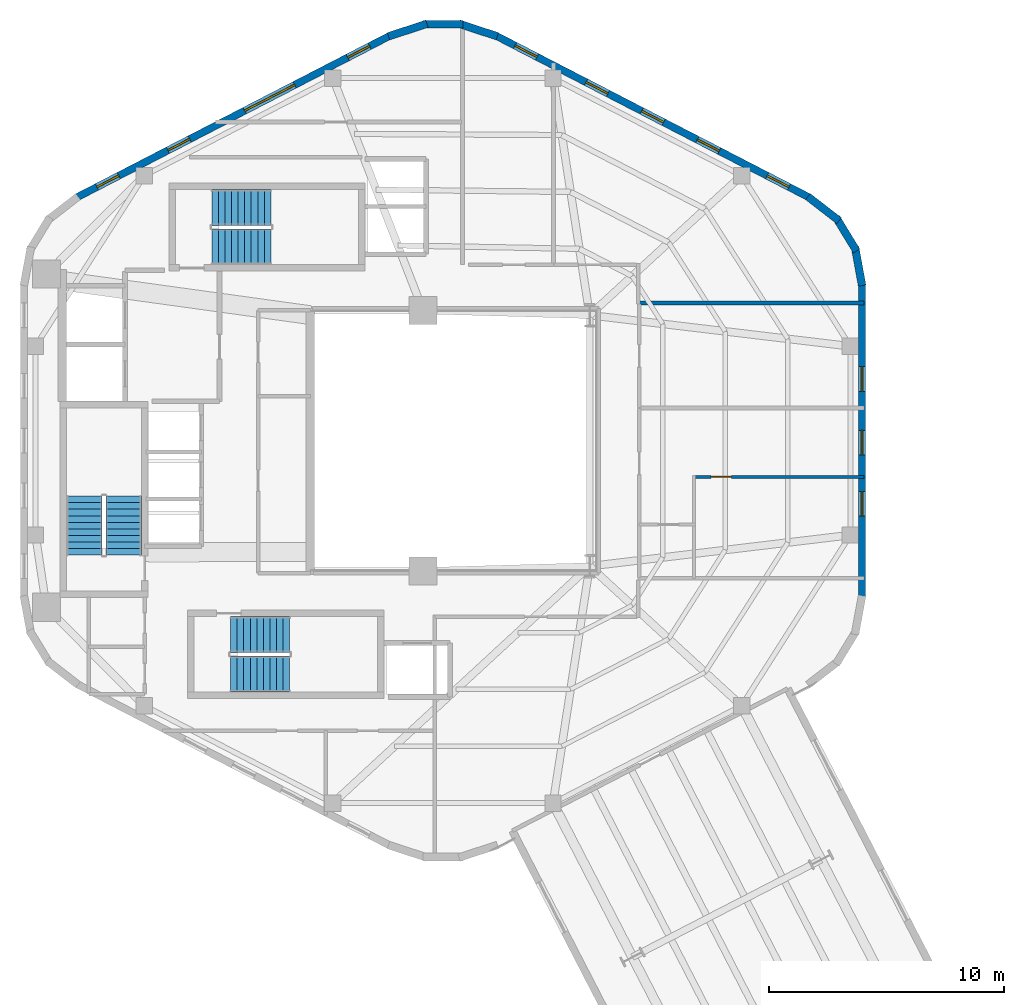
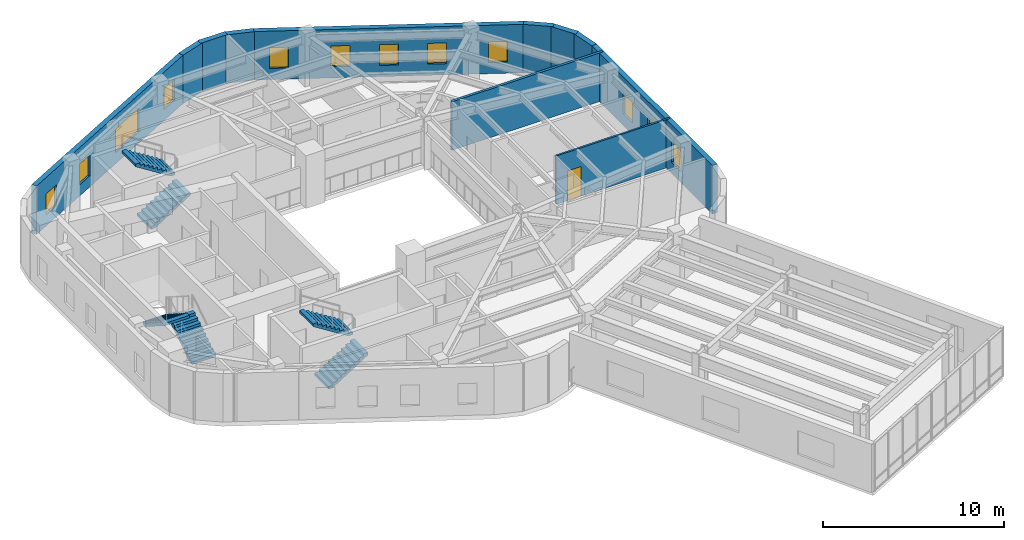
# One storey, part 9 of 10: 12 windows, 11 walls, 6 stair flights, 1 door, 13 openings, 3 elements without a shape of their own.
"""IFC4 building model written with IfcOpenShell, lengths in metres."""

from ifc_helpers import new_model, si_unit, direction, frame, frame_2d, origin, place, context, subcontext, project, spatial, polyline, rectangle, outline, extrude, material, layer, layer_set, type_object, element, fill, aggregate, save


model = new_model("IFC4")

# Units and contexts
model_context = context("Model", 3, precision=1e-05, world=origin(), true_north=direction((0.0, 1.0)))
body_context = subcontext(model_context, "Body", "Model", "MODEL_VIEW")
ifc_project = project(units=[si_unit("LENGTHUNIT", "METRE"), si_unit("AREAUNIT", "SQUARE_METRE"), si_unit("VOLUMEUNIT", "CUBIC_METRE"), si_unit("PLANEANGLEUNIT", "RADIAN"), si_unit("MASSUNIT", "GRAM", prefix="KILO"), si_unit("THERMODYNAMICTEMPERATUREUNIT", "KELVIN"), si_unit("POWERUNIT", "WATT")], contexts=[model_context])

# Site, building, storey
site_placement = place(None, origin())
site = spatial("IfcSite", under=ifc_project, at=site_placement, CompositionType="ELEMENT")
building_placement = place(site_placement, origin())
building = spatial("IfcBuilding", under=site, at=building_placement, Name="Skarre Station Tower", CompositionType="ELEMENT")
storey_placement = place(building_placement, frame((0.0, 0.0, 238.35009765625)))
storey = spatial("IfcBuildingStorey", under=building, at=storey_placement, Name="L65", CompositionType="ELEMENT", Elevation=238.35009765625)

# Wall, opening, door
ifc_material_1 = material(Name="Insulated Timber-Stud Gypsum Partition", Category="wood")
ifc_layer_1 = layer(ifc_material_1, 0.1201171875, Name="Insulated Timber-Stud Gypsum Partition")
ifc_layer_set_1 = layer_set([ifc_layer_1], Name="Insulated Timber-Stud Gypsum Partition")
wall_type_1 = type_object("IfcWallType", Name="Internal Suite Acoustic Partition 120", PredefinedType="PARTITIONING", material=ifc_layer_set_1)
wall_1_placement = place(storey_placement, frame((43.89990234375, 22.458984375, 0.0), z_axis=(0.0, 0.0, 1.0), x_axis=(1.0, 0.0, 0.0)))
wall_1 = element("IfcWall", 1, at=wall_1_placement, inside=storey, type_object=wall_type_1, Name="L65 Interior Partition WL-PT-L65-EW1-BDW", PredefinedType="PARTITIONING", context=body_context, shape_type="SweptSolid", body=[
    extrude(rectangle(XDim=7.2431640625, YDim=0.1201171875, at=frame_2d((3.62158203125, 0.0))), origin(), (0.0, 0.0, 1.0), 3.260009765625),
])
opening_1_placement = place(wall_1_placement, frame((0.72998046875, 0.0, 0.0)))
opening_1 = element("IfcOpeningElement", 2, at=opening_1_placement, cuts=wall_1, Name="Opening DR-INT86", PredefinedType="OPENING", context=body_context, shape_type="SweptSolid", body=[
    extrude(rectangle(XDim=0.860107421875, YDim=2.0, at=frame_2d((0.43017578125, 1.0))), frame((0.0, 0.070068359375, 0.0), z_axis=(0.0, -1.0, 0.0), x_axis=(1.0, 0.0, 0.0)), (0.0, 0.0, 1.0), 0.14013671875),
])
ifc_material_2 = material(Name="Nordic Birch Acoustic Solid-Core Timber Leaf", Category="wood")
door_type = type_object("IfcDoorType", Name="Internal En-Suite & Bedroom Door 860x2100", OperationType="SINGLE_SWING_LEFT", PredefinedType="DOOR", material=ifc_material_2)
door_placement = place(opening_1_placement, origin())
door = element("IfcDoor", 3, at=door_placement, inside=storey, type_object=door_type, Name="L65 EW1 Master Bedroom Door", OperationType="SINGLE_SWING_RIGHT", OverallHeight=2.0, OverallWidth=0.860107421875, PredefinedType="DOOR", context=body_context, shape_type="SweptSolid", body=[
    extrude(rectangle(XDim=0.860107421875, YDim=2.0, at=frame_2d((0.43017578125, 1.0))), frame((0.0, 0.02490234375, 0.0), z_axis=(0.0, -1.0, 0.0), x_axis=(1.0, 0.0, 0.0)), (0.0, 0.0, 1.0), 0.050048828125),
])
fill(opening_1, door)

# Walls
ifc_material_3 = material(Name="Precast concrete C45/55", Category="concrete")
ifc_layer_2 = layer(ifc_material_3, 0.330078125, Name="Precast concrete C45/55")
ifc_layer_set_2 = layer_set([ifc_layer_2], Name="Precast concrete C45/55")
wall_type_2 = type_object("IfcWallType", Name="Nordic Rounded Corner Precast Wall 330", PredefinedType="STANDARD", material=ifc_layer_set_2)
wall_2_placement = place(storey_placement, frame((48.7529296875, 34.40087890625, 0.0), z_axis=(0.0, 0.0, 1.0), x_axis=(0.790691856293, -0.61221433207, 0.0)))
element("IfcWall", 4, at=wall_2_placement, inside=storey, type_object=wall_type_2, Name="L65 Rounded Corner Precast Wall F0-1", PredefinedType="STANDARD", context=body_context, shape_type="SweptSolid", body=[
    extrude(rectangle(XDim=1.67578125, YDim=0.330078125, at=frame_2d((0.837890625, 0.0))), origin(), (0.0, 0.0, 1.0), 3.260009765625),
])
wall_3_placement = place(storey_placement, frame((49.952880859375, 33.514892578125, 0.0), z_axis=(0.0, 0.0, 1.0), x_axis=(0.520325409202, -0.853968072318, 0.0)))
element("IfcWall", 5, at=wall_3_placement, inside=storey, type_object=wall_type_2, Name="L65 Rounded Corner Precast Wall F0-2", PredefinedType="STANDARD", context=body_context, shape_type="SweptSolid", body=[
    extrude(rectangle(XDim=1.677978515625, YDim=0.330078125, at=frame_2d((0.8388671875, 0.0))), origin(), (0.0, 0.0, 1.0), 3.260009765625),
])
wall_4_placement = place(storey_placement, frame((50.759033203125, 32.257080078125, 0.0), z_axis=(0.0, 0.0, 1.0), x_axis=(0.180691763044, -0.983539773862, 0.0)))
element("IfcWall", 6, at=wall_4_placement, inside=storey, type_object=wall_type_2, Name="L65 Rounded Corner Precast Wall F0-3", PredefinedType="STANDARD", context=body_context, shape_type="SweptSolid", body=[
    extrude(rectangle(XDim=1.6767578125, YDim=0.330078125, at=frame_2d((0.83837890625, 0.0))), origin(), (0.0, 0.0, 1.0), 3.260009765625),
])
wall_5_placement = place(storey_placement, frame((30.882080078125, 41.23095703125, 0.0), z_axis=(0.0, 0.0, 1.0), x_axis=(0.949713440491, 0.313120393699, 0.0)))
element("IfcWall", 7, at=wall_5_placement, inside=storey, type_object=wall_type_2, Name="L65 Rounded Corner Precast Wall F1-1", PredefinedType="STANDARD", context=body_context, shape_type="SweptSolid", body=[
    extrude(rectangle(XDim=1.7216796875, YDim=0.330078125, at=frame_2d((0.86083984375, 0.0))), origin(), (0.0, 0.0, 1.0), 3.260009765625),
])
wall_6_placement = place(storey_placement, frame((32.339111328125, 41.740966796875, 0.0), z_axis=(0.0, 0.0, 1.0), x_axis=(1.0, 0.0, 0.0)))
element("IfcWall", 8, at=wall_6_placement, inside=storey, type_object=wall_type_2, Name="L65 Rounded Corner Precast Wall F1-2", PredefinedType="STANDARD", context=body_context, shape_type="SweptSolid", body=[
    extrude(rectangle(XDim=1.721923828125, YDim=0.330078125, at=frame_2d((0.86083984375, 0.0))), origin(), (0.0, 0.0, 1.0), 3.260009765625),
])
wall_7_placement = place(storey_placement, frame((33.883056640625, 41.77001953125, 0.0), z_axis=(0.0, 0.0, 1.0), x_axis=(0.949713440491, -0.313120393699, 0.0)))
element("IfcWall", 9, at=wall_7_placement, inside=storey, type_object=wall_type_2, Name="L65 Rounded Corner Precast Wall F1-3", PredefinedType="STANDARD", context=body_context, shape_type="SweptSolid", body=[
    extrude(rectangle(XDim=1.7216796875, YDim=0.330078125, at=frame_2d((0.86083984375, 0.0))), origin(), (0.0, 0.0, 1.0), 3.260009765625),
])

# Wall, openings, windows
ifc_layer_3 = layer(ifc_material_3, 0.31005859375, Name="Precast concrete C45/55")
ifc_layer_set_3 = layer_set([ifc_layer_3], Name="Precast concrete C45/55")
wall_type_3 = type_object("IfcWallType", Name="Nordic Upper-Zone Precast Facet Wall 310", PredefinedType="STANDARD", material=ifc_layer_set_3)
wall_8_placement = place(storey_placement, frame((35.43701171875, 41.27001953125, 0.0), z_axis=(0.0, 0.0, 1.0), x_axis=(0.888581481622, -0.458718814218, 0.0)))
wall_8 = element("IfcWall", 10, at=wall_8_placement, inside=storey, type_object=wall_type_3, Name="L65 Facet 0 Nordic Precast Masonry Wall", PredefinedType="STANDARD", context=body_context, shape_type="SweptSolid", body=[
    extrude(rectangle(XDim=15.076904296875, YDim=0.31005859375, at=frame_2d((7.53857421875, 0.0))), origin(), (0.0, 0.0, 1.0), 3.260009765625),
])
opening_2_placement = place(wall_8_placement, frame((0.94189453125, 0.0, 0.75)))
opening_2 = element("IfcOpeningElement", 11, at=opening_2_placement, cuts=wall_8, Name="Opening WN-SLT", PredefinedType="OPENING", context=body_context, shape_type="SweptSolid", body=[
    extrude(rectangle(XDim=1.050048828125, YDim=1.39990234375, at=frame_2d((0.52490234375, 0.699951171875))), frame((0.0, 0.1650390625, 0.0), z_axis=(0.0, -1.0, 0.0), x_axis=(1.0, 0.0, 0.0)), (0.0, 0.0, 1.0), 0.330078125),
])
opening_3_placement = place(wall_8_placement, frame((4.343994140625, 0.0, 0.75)))
opening_3 = element("IfcOpeningElement", 12, at=opening_3_placement, cuts=wall_8, Name="Opening WN-SLT", PredefinedType="OPENING", context=body_context, shape_type="SweptSolid", body=[
    extrude(rectangle(XDim=1.050048828125, YDim=1.39990234375, at=frame_2d((0.52490234375, 0.699951171875))), frame((0.0, 0.1650390625, 0.0), z_axis=(0.0, -1.0, 0.0), x_axis=(1.0, 0.0, 0.0)), (0.0, 0.0, 1.0), 0.330078125),
])
opening_4_placement = place(wall_8_placement, frame((7.012939453125, 0.0, 0.75)))
opening_4 = element("IfcOpeningElement", 13, at=opening_4_placement, cuts=wall_8, Name="Opening WN-SLT", PredefinedType="OPENING", context=body_context, shape_type="SweptSolid", body=[
    extrude(rectangle(XDim=1.050048828125, YDim=1.39990234375, at=frame_2d((0.52490234375, 0.699951171875))), frame((0.0, 0.1650390625, 0.0), z_axis=(0.0, -1.0, 0.0), x_axis=(1.0, 0.0, 0.0)), (0.0, 0.0, 1.0), 0.330078125),
])
opening_5_placement = place(wall_8_placement, frame((9.680908203125, 0.0, 0.75)))
opening_5 = element("IfcOpeningElement", 14, at=opening_5_placement, cuts=wall_8, Name="Opening WN-SLT", PredefinedType="OPENING", context=body_context, shape_type="SweptSolid", body=[
    extrude(rectangle(XDim=1.050048828125, YDim=1.39990234375, at=frame_2d((0.52490234375, 0.699951171875))), frame((0.0, 0.1650390625, 0.0), z_axis=(0.0, -1.0, 0.0), x_axis=(1.0, 0.0, 0.0)), (0.0, 0.0, 1.0), 0.330078125),
])
opening_6_placement = place(wall_8_placement, frame((13.029052734375, 0.0, 0.75)))
opening_6 = element("IfcOpeningElement", 15, at=opening_6_placement, cuts=wall_8, Name="Opening WN-SLT", PredefinedType="OPENING", context=body_context, shape_type="SweptSolid", body=[
    extrude(rectangle(XDim=1.050048828125, YDim=1.39990234375, at=frame_2d((0.52490234375, 0.699951171875))), frame((0.0, 0.1650390625, 0.0), z_axis=(0.0, -1.0, 0.0), x_axis=(1.0, 0.0, 0.0)), (0.0, 0.0, 1.0), 0.330078125),
])
ifc_material_4 = material(Name="Low-Iron Triple Glazing with Bronze Anodized Frame", Category="glass")
window_type_1 = type_object("IfcWindowType", Name="Nordic Corner Slot Window 1050x1400", PartitioningType="SINGLE_PANEL", PredefinedType="WINDOW", material=ifc_material_4)
window_1_placement = place(opening_2_placement, origin())
window_1 = element("IfcWindow", 16, at=window_1_placement, inside=storey, type_object=window_type_1, Name="L65 Facade Window WL-FAC-L65-F0-1", OverallHeight=1.39990234375, OverallWidth=1.050048828125, PartitioningType="SINGLE_PANEL", PredefinedType="WINDOW", context=body_context, shape_type="SweptSolid", body=[
    extrude(rectangle(XDim=1.050048828125, YDim=1.39990234375, at=frame_2d((0.52490234375, 0.699951171875))), frame((0.0, 0.030029296875, 0.0), z_axis=(0.0, -1.0, 0.0), x_axis=(1.0, 0.0, 0.0)), (0.0, 0.0, 1.0), 0.06005859375),
])
fill(opening_2, window_1)
window_2_placement = place(opening_3_placement, origin())
window_2 = element("IfcWindow", 17, at=window_2_placement, inside=storey, type_object=window_type_1, Name="L65 Facade Window WL-FAC-L65-F0-2", OverallHeight=1.39990234375, OverallWidth=1.050048828125, PartitioningType="SINGLE_PANEL", PredefinedType="WINDOW", context=body_context, shape_type="SweptSolid", body=[
    extrude(rectangle(XDim=1.050048828125, YDim=1.39990234375, at=frame_2d((0.52490234375, 0.699951171875))), frame((0.0, 0.030029296875, 0.0), z_axis=(0.0, -1.0, 0.0), x_axis=(1.0, 0.0, 0.0)), (0.0, 0.0, 1.0), 0.06005859375),
])
fill(opening_3, window_2)
window_3_placement = place(opening_4_placement, origin())
window_3 = element("IfcWindow", 18, at=window_3_placement, inside=storey, type_object=window_type_1, Name="L65 Facade Window WL-FAC-L65-F0-3", OverallHeight=1.39990234375, OverallWidth=1.050048828125, PartitioningType="SINGLE_PANEL", PredefinedType="WINDOW", context=body_context, shape_type="SweptSolid", body=[
    extrude(rectangle(XDim=1.050048828125, YDim=1.39990234375, at=frame_2d((0.52490234375, 0.699951171875))), frame((0.0, 0.030029296875, 0.0), z_axis=(0.0, -1.0, 0.0), x_axis=(1.0, 0.0, 0.0)), (0.0, 0.0, 1.0), 0.06005859375),
])
fill(opening_4, window_3)
window_4_placement = place(opening_5_placement, origin())
window_4 = element("IfcWindow", 19, at=window_4_placement, inside=storey, type_object=window_type_1, Name="L65 Facade Window WL-FAC-L65-F0-4", OverallHeight=1.39990234375, OverallWidth=1.050048828125, PartitioningType="SINGLE_PANEL", PredefinedType="WINDOW", context=body_context, shape_type="SweptSolid", body=[
    extrude(rectangle(XDim=1.050048828125, YDim=1.39990234375, at=frame_2d((0.52490234375, 0.699951171875))), frame((0.0, 0.030029296875, 0.0), z_axis=(0.0, -1.0, 0.0), x_axis=(1.0, 0.0, 0.0)), (0.0, 0.0, 1.0), 0.06005859375),
])
fill(opening_5, window_4)
window_5_placement = place(opening_6_placement, origin())
window_5 = element("IfcWindow", 20, at=window_5_placement, inside=storey, type_object=window_type_1, Name="L65 Facade Window WL-FAC-L65-F0-5", OverallHeight=1.39990234375, OverallWidth=1.050048828125, PartitioningType="SINGLE_PANEL", PredefinedType="WINDOW", context=body_context, shape_type="SweptSolid", body=[
    extrude(rectangle(XDim=1.050048828125, YDim=1.39990234375, at=frame_2d((0.52490234375, 0.699951171875))), frame((0.0, 0.030029296875, 0.0), z_axis=(0.0, -1.0, 0.0), x_axis=(1.0, 0.0, 0.0)), (0.0, 0.0, 1.0), 0.06005859375),
])
fill(opening_6, window_5)

wall_9_placement = place(storey_placement, frame((17.56591796875, 34.35400390625, 0.0), z_axis=(0.0, 0.0, 1.0), x_axis=(0.888581481622, 0.458718814218, 0.0)))
wall_9 = element("IfcWall", 21, at=wall_9_placement, inside=storey, type_object=wall_type_3, Name="L65 Facet 1 Nordic Precast Masonry Wall", PredefinedType="STANDARD", context=body_context, shape_type="SweptSolid", body=[
    extrude(rectangle(XDim=15.076904296875, YDim=0.31005859375, at=frame_2d((7.53857421875, 0.0))), origin(), (0.0, 0.0, 1.0), 3.260009765625),
])
opening_7_placement = place(wall_9_placement, frame((0.998046875, 0.0, 0.75)))
opening_7 = element("IfcOpeningElement", 22, at=opening_7_placement, cuts=wall_9, Name="Opening WN-SLT", PredefinedType="OPENING", context=body_context, shape_type="SweptSolid", body=[
    extrude(rectangle(XDim=1.050048828125, YDim=1.39990234375, at=frame_2d((0.52490234375, 0.699951171875))), frame((0.0, 0.1650390625, 0.0), z_axis=(0.0, -1.0, 0.0), x_axis=(1.0, 0.0, 0.0)), (0.0, 0.0, 1.0), 0.330078125),
])
opening_8_placement = place(wall_9_placement, frame((4.403076171875, 0.0, 0.75)))
opening_8 = element("IfcOpeningElement", 23, at=opening_8_placement, cuts=wall_9, Name="Opening WN-SLT", PredefinedType="OPENING", context=body_context, shape_type="SweptSolid", body=[
    extrude(rectangle(XDim=1.050048828125, YDim=1.39990234375, at=frame_2d((0.52490234375, 0.699951171875))), frame((0.0, 0.1650390625, 0.0), z_axis=(0.0, -1.0, 0.0), x_axis=(1.0, 0.0, 0.0)), (0.0, 0.0, 1.0), 0.330078125),
])
opening_9_placement = place(wall_9_placement, frame((8.0859375, 0.0, 0.75)))
opening_9 = element("IfcOpeningElement", 24, at=opening_9_placement, cuts=wall_9, Name="Opening WN-Z4A", PredefinedType="OPENING", context=body_context, shape_type="SweptSolid", body=[
    extrude(rectangle(XDim=2.39990234375, YDim=1.60009765625, at=frame_2d((1.199951171875, 0.800048828125))), frame((0.0, 0.1650390625, 0.0), z_axis=(0.0, -1.0, 0.0), x_axis=(1.0, 0.0, 0.0)), (0.0, 0.0, 1.0), 0.330078125),
])
opening_10_placement = place(wall_9_placement, frame((13.029052734375, 0.0, 0.75)))
opening_10 = element("IfcOpeningElement", 25, at=opening_10_placement, cuts=wall_9, Name="Opening WN-SLT", PredefinedType="OPENING", context=body_context, shape_type="SweptSolid", body=[
    extrude(rectangle(XDim=1.050048828125, YDim=1.39990234375, at=frame_2d((0.52490234375, 0.699951171875))), frame((0.0, 0.1650390625, 0.0), z_axis=(0.0, -1.0, 0.0), x_axis=(1.0, 0.0, 0.0)), (0.0, 0.0, 1.0), 0.330078125),
])
window_6_placement = place(opening_7_placement, origin())
window_6 = element("IfcWindow", 26, at=window_6_placement, inside=storey, type_object=window_type_1, Name="L65 Facade Window WL-FAC-L65-F1-1", OverallHeight=1.39990234375, OverallWidth=1.050048828125, PartitioningType="SINGLE_PANEL", PredefinedType="WINDOW", context=body_context, shape_type="SweptSolid", body=[
    extrude(rectangle(XDim=1.050048828125, YDim=1.39990234375, at=frame_2d((0.52490234375, 0.699951171875))), frame((0.0, 0.030029296875, 0.0), z_axis=(0.0, -1.0, 0.0), x_axis=(1.0, 0.0, 0.0)), (0.0, 0.0, 1.0), 0.06005859375),
])
fill(opening_7, window_6)
window_7_placement = place(opening_8_placement, origin())
window_7 = element("IfcWindow", 27, at=window_7_placement, inside=storey, type_object=window_type_1, Name="L65 Facade Window WL-FAC-L65-F1-2", OverallHeight=1.39990234375, OverallWidth=1.050048828125, PartitioningType="SINGLE_PANEL", PredefinedType="WINDOW", context=body_context, shape_type="SweptSolid", body=[
    extrude(rectangle(XDim=1.050048828125, YDim=1.39990234375, at=frame_2d((0.52490234375, 0.699951171875))), frame((0.0, 0.030029296875, 0.0), z_axis=(0.0, -1.0, 0.0), x_axis=(1.0, 0.0, 0.0)), (0.0, 0.0, 1.0), 0.06005859375),
])
fill(opening_8, window_7)
window_8_placement = place(opening_10_placement, origin())
window_8 = element("IfcWindow", 28, at=window_8_placement, inside=storey, type_object=window_type_1, Name="L65 Facade Window WL-FAC-L65-F1-4", OverallHeight=1.39990234375, OverallWidth=1.050048828125, PartitioningType="SINGLE_PANEL", PredefinedType="WINDOW", context=body_context, shape_type="SweptSolid", body=[
    extrude(rectangle(XDim=1.050048828125, YDim=1.39990234375, at=frame_2d((0.52490234375, 0.699951171875))), frame((0.0, 0.030029296875, 0.0), z_axis=(0.0, -1.0, 0.0), x_axis=(1.0, 0.0, 0.0)), (0.0, 0.0, 1.0), 0.06005859375),
])
fill(opening_10, window_8)
window_type_2 = type_object("IfcWindowType", Name="Nordic Crown Panorama Window 2400x1600", PartitioningType="SINGLE_PANEL", PredefinedType="WINDOW", material=ifc_material_4)
window_9_placement = place(opening_9_placement, origin())
window_9 = element("IfcWindow", 29, at=window_9_placement, inside=storey, type_object=window_type_2, Name="L65 Facade Window WL-FAC-L65-F1-3", OverallHeight=1.60009765625, OverallWidth=2.39990234375, PartitioningType="SINGLE_PANEL", PredefinedType="WINDOW", context=body_context, shape_type="SweptSolid", body=[
    extrude(rectangle(XDim=2.39990234375, YDim=1.60009765625, at=frame_2d((1.199951171875, 0.800048828125))), frame((0.0, 0.030029296875, 0.0), z_axis=(0.0, -1.0, 0.0), x_axis=(1.0, 0.0, 0.0)), (0.0, 0.0, 1.0), 0.06005859375),
])
fill(opening_9, window_9)

wall_10_placement = place(storey_placement, frame((51.05810546875, 30.701904296875, 0.0), z_axis=(0.0, 0.0, 1.0), x_axis=(0.0, -1.0, 0.0)))
wall_10 = element("IfcWall", 30, at=wall_10_placement, inside=storey, type_object=wall_type_3, Name="L65 Facet 5 Nordic Precast Masonry Wall", PredefinedType="STANDARD", context=body_context, shape_type="SweptSolid", body=[
    extrude(rectangle(XDim=13.40380859375, YDim=0.31005859375, at=frame_2d((6.701904296875, 0.0))), origin(), (0.0, 0.0, 1.0), 3.260009765625),
])
opening_11_placement = place(wall_10_placement, frame((3.547119140625, 0.0, 0.75)))
opening_11 = element("IfcOpeningElement", 31, at=opening_11_placement, cuts=wall_10, Name="Opening WN-SLT", PredefinedType="OPENING", context=body_context, shape_type="SweptSolid", body=[
    extrude(rectangle(XDim=1.050048828125, YDim=1.39990234375, at=frame_2d((0.52490234375, 0.699951171875))), frame((0.0, 0.1650390625, 0.0), z_axis=(0.0, -1.0, 0.0), x_axis=(1.0, 0.0, 0.0)), (0.0, 0.0, 1.0), 0.330078125),
])
opening_12_placement = place(wall_10_placement, frame((6.260009765625, 0.0, 0.75)))
opening_12 = element("IfcOpeningElement", 32, at=opening_12_placement, cuts=wall_10, Name="Opening WN-SLT", PredefinedType="OPENING", context=body_context, shape_type="SweptSolid", body=[
    extrude(rectangle(XDim=1.050048828125, YDim=1.39990234375, at=frame_2d((0.52490234375, 0.699951171875))), frame((0.0, 0.1650390625, 0.0), z_axis=(0.0, -1.0, 0.0), x_axis=(1.0, 0.0, 0.0)), (0.0, 0.0, 1.0), 0.330078125),
])
opening_13_placement = place(wall_10_placement, frame((8.867919921875, 0.0, 0.75)))
opening_13 = element("IfcOpeningElement", 33, at=opening_13_placement, cuts=wall_10, Name="Opening WN-SLT", PredefinedType="OPENING", context=body_context, shape_type="SweptSolid", body=[
    extrude(rectangle(XDim=1.050048828125, YDim=1.39990234375, at=frame_2d((0.52490234375, 0.699951171875))), frame((0.0, 0.1650390625, 0.0), z_axis=(0.0, -1.0, 0.0), x_axis=(1.0, 0.0, 0.0)), (0.0, 0.0, 1.0), 0.330078125),
])
window_10_placement = place(opening_11_placement, origin())
window_10 = element("IfcWindow", 34, at=window_10_placement, inside=storey, type_object=window_type_1, Name="L65 Facade Window WL-FAC-L65-F5-1", OverallHeight=1.39990234375, OverallWidth=1.050048828125, PartitioningType="SINGLE_PANEL", PredefinedType="WINDOW", context=body_context, shape_type="SweptSolid", body=[
    extrude(rectangle(XDim=1.050048828125, YDim=1.39990234375, at=frame_2d((0.52490234375, 0.699951171875))), frame((0.0, 0.030029296875, 0.0), z_axis=(0.0, -1.0, 0.0), x_axis=(1.0, 0.0, 0.0)), (0.0, 0.0, 1.0), 0.06005859375),
])
fill(opening_11, window_10)
window_11_placement = place(opening_12_placement, origin())
window_11 = element("IfcWindow", 35, at=window_11_placement, inside=storey, type_object=window_type_1, Name="L65 Facade Window WL-FAC-L65-F5-2", OverallHeight=1.39990234375, OverallWidth=1.050048828125, PartitioningType="SINGLE_PANEL", PredefinedType="WINDOW", context=body_context, shape_type="SweptSolid", body=[
    extrude(rectangle(XDim=1.050048828125, YDim=1.39990234375, at=frame_2d((0.52490234375, 0.699951171875))), frame((0.0, 0.030029296875, 0.0), z_axis=(0.0, -1.0, 0.0), x_axis=(1.0, 0.0, 0.0)), (0.0, 0.0, 1.0), 0.06005859375),
])
fill(opening_12, window_11)
window_12_placement = place(opening_13_placement, origin())
window_12 = element("IfcWindow", 36, at=window_12_placement, inside=storey, type_object=window_type_1, Name="L65 Facade Window WL-FAC-L65-F5-3", OverallHeight=1.39990234375, OverallWidth=1.050048828125, PartitioningType="SINGLE_PANEL", PredefinedType="WINDOW", context=body_context, shape_type="SweptSolid", body=[
    extrude(rectangle(XDim=1.050048828125, YDim=1.39990234375, at=frame_2d((0.52490234375, 0.699951171875))), frame((0.0, 0.030029296875, 0.0), z_axis=(0.0, -1.0, 0.0), x_axis=(1.0, 0.0, 0.0)), (0.0, 0.0, 1.0), 0.06005859375),
])
fill(opening_13, window_12)

# Wall
ifc_material_5 = material(Name="Acoustic Steel-Stud Gypsum Partition", Category="steel")
ifc_layer_4 = layer(ifc_material_5, 0.1650390625, Name="Acoustic Steel-Stud Gypsum Partition")
ifc_layer_set_4 = layer_set([ifc_layer_4], Name="Acoustic Steel-Stud Gypsum Partition")
wall_type_4 = type_object("IfcWallType", Name="Suite Demising Acoustic Partition 165", PredefinedType="PARTITIONING", material=ifc_layer_set_4)
wall_11_placement = place(storey_placement, frame((41.52001953125, 29.860107421875, 0.0), z_axis=(0.0, 0.0, 1.0), x_axis=(1.0, 0.0, 0.0)))
element("IfcWall", 37, at=wall_11_placement, inside=storey, type_object=wall_type_4, Name="L65 Interior Partition WL-PT-L65-EWB-N", PredefinedType="PARTITIONING", context=body_context, shape_type="SweptSolid", body=[
    extrude(rectangle(XDim=9.623046875, YDim=0.1650390625, at=frame_2d((4.8115234375, 0.0))), origin(), (0.0, 0.0, 1.0), 3.260009765625),
])

# Stair, stair flights
ifc_material_6 = material(Name="Concrete C40/50", Category="concrete")
stair_type_1 = type_object("IfcStairType", Name="Reinforced Concrete Exit Stair ST-1", PredefinedType="HALF_TURN_STAIR", material=ifc_material_6)
stair_1_placement = place(storey_placement, origin())
stair_1 = element("IfcStair", 38, at=stair_1_placement, inside=storey, type_object=stair_type_1, Name="L65 Core Exit Stair ST-1", PredefinedType="HALF_TURN_STAIR")
stair_flight_type_1 = type_object("IfcStairFlightType", Name="Reinforced Concrete Stair Flight ST-1", PredefinedType="STRAIGHT", material=ifc_material_6)
stair_flight_1_placement = place(storey_placement, frame((19.590087890625, 19.1201171875, 0.0), z_axis=(0.0, 0.0, 1.0), x_axis=(0.0, 1.0, 0.0)))
stair_flight_1 = element("IfcStairFlight", 39, at=stair_flight_1_placement, type_object=stair_flight_type_1, Name="ST-1 flight 1", NumberOfRisers=10, NumberOfTreads=9, PredefinedType="STRAIGHT", RiserHeight=0.1775, TreadLength=0.28, context=body_context, shape_type="SweptSolid", body=[
    extrude(outline(polyline([(0.0, 0.0), (0.0, 0.177490234375), (0.280029296875, 0.177490234375), (0.280029296875, 0.35498046875), (0.56005859375, 0.35498046875), (0.56005859375, 0.532470703125), (0.840087890625, 0.532470703125), (0.840087890625, 0.7099609375), (1.1201171875, 0.7099609375), (1.1201171875, 0.887451171875), (1.39990234375, 0.887451171875), (1.39990234375, 1.06494140625), (1.679931640625, 1.06494140625), (1.679931640625, 1.242431640625), (1.9599609375, 1.242431640625), (1.9599609375, 1.419921875), (2.239990234375, 1.419921875), (2.239990234375, 1.597412109375), (2.52001953125, 1.597412109375), (2.52001953125, 1.77490234375), (2.52001953125, 1.419921875), (0.280029296875, 0.0), (0.0, 0.0)])), frame((0.0, 0.760009765625, 0.0), z_axis=(0.0, -1.0, 0.0), x_axis=(1.0, 0.0, 0.0)), (0.0, 0.0, 1.0), 1.52001953125),
])
stair_flight_2_placement = place(storey_placement, frame((17.909912109375, 21.639892578125, 1.77490234375), z_axis=(0.0, 0.0, 1.0), x_axis=(0.0, -1.0, 0.0)))
stair_flight_2 = element("IfcStairFlight", 40, at=stair_flight_2_placement, type_object=stair_flight_type_1, Name="ST-1 flight 2", NumberOfRisers=10, NumberOfTreads=9, PredefinedType="STRAIGHT", RiserHeight=0.1775, TreadLength=0.28, context=body_context, shape_type="SweptSolid", body=[
    extrude(outline(polyline([(0.0, 0.0), (0.0, 0.177490234375), (0.280029296875, 0.177490234375), (0.280029296875, 0.35498046875), (0.56005859375, 0.35498046875), (0.56005859375, 0.532470703125), (0.840087890625, 0.532470703125), (0.840087890625, 0.7099609375), (1.1201171875, 0.7099609375), (1.1201171875, 0.887451171875), (1.39990234375, 0.887451171875), (1.39990234375, 1.06494140625), (1.679931640625, 1.06494140625), (1.679931640625, 1.242431640625), (1.9599609375, 1.242431640625), (1.9599609375, 1.419921875), (2.239990234375, 1.419921875), (2.239990234375, 1.597412109375), (2.52001953125, 1.597412109375), (2.52001953125, 1.77490234375), (2.52001953125, 1.419921875), (0.280029296875, 0.0), (0.0, 0.0)])), frame((0.0, 0.760009765625, 0.0), z_axis=(0.0, -1.0, 0.0), x_axis=(1.0, 0.0, 0.0)), (0.0, 0.0, 1.0), 1.52001953125),
])
aggregate(stair_1, [stair_flight_1, stair_flight_2])

stair_type_2 = type_object("IfcStairType", Name="Reinforced Concrete Exit Stair ST-2", PredefinedType="HALF_TURN_STAIR", material=ifc_material_6)
stair_2_placement = place(storey_placement, origin())
stair_2 = element("IfcStair", 41, at=stair_2_placement, inside=storey, type_object=stair_type_2, Name="L65 Core Exit Stair ST-2", PredefinedType="HALF_TURN_STAIR")
stair_flight_type_2 = type_object("IfcStairFlightType", Name="Reinforced Concrete Stair Flight ST-2", PredefinedType="STRAIGHT", material=ifc_material_6)
stair_flight_3_placement = place(storey_placement, frame((24.14990234375, 14.06005859375, 0.0), z_axis=(0.0, 0.0, 1.0), x_axis=(1.0, 0.0, 0.0)))
stair_flight_3 = element("IfcStairFlight", 42, at=stair_flight_3_placement, type_object=stair_flight_type_2, Name="ST-2 flight 1", NumberOfRisers=10, NumberOfTreads=9, PredefinedType="STRAIGHT", RiserHeight=0.1775, TreadLength=0.28, context=body_context, shape_type="SweptSolid", body=[
    extrude(outline(polyline([(0.0, 0.0), (0.0, 0.177490234375), (0.280029296875, 0.177490234375), (0.280029296875, 0.35498046875), (0.56005859375, 0.35498046875), (0.56005859375, 0.532470703125), (0.840087890625, 0.532470703125), (0.840087890625, 0.7099609375), (1.1201171875, 0.7099609375), (1.1201171875, 0.887451171875), (1.39990234375, 0.887451171875), (1.39990234375, 1.06494140625), (1.679931640625, 1.06494140625), (1.679931640625, 1.242431640625), (1.9599609375, 1.242431640625), (1.9599609375, 1.419921875), (2.239990234375, 1.419921875), (2.239990234375, 1.597412109375), (2.52001953125, 1.597412109375), (2.52001953125, 1.77490234375), (2.52001953125, 1.419921875), (0.280029296875, 0.0), (0.0, 0.0)])), frame((0.0, 0.760009765625, 0.0), z_axis=(0.0, -1.0, 0.0), x_axis=(1.0, 0.0, 0.0)), (0.0, 0.0, 1.0), 1.52001953125),
])
stair_flight_4_placement = place(storey_placement, frame((26.669921875, 15.739990234375, 1.77490234375), z_axis=(0.0, 0.0, 1.0), x_axis=(-1.0, 0.0, 0.0)))
stair_flight_4 = element("IfcStairFlight", 43, at=stair_flight_4_placement, type_object=stair_flight_type_2, Name="ST-2 flight 2", NumberOfRisers=10, NumberOfTreads=9, PredefinedType="STRAIGHT", RiserHeight=0.1775, TreadLength=0.28, context=body_context, shape_type="SweptSolid", body=[
    extrude(outline(polyline([(0.0, 0.0), (0.0, 0.177490234375), (0.280029296875, 0.177490234375), (0.280029296875, 0.35498046875), (0.56005859375, 0.35498046875), (0.56005859375, 0.532470703125), (0.840087890625, 0.532470703125), (0.840087890625, 0.7099609375), (1.1201171875, 0.7099609375), (1.1201171875, 0.887451171875), (1.39990234375, 0.887451171875), (1.39990234375, 1.06494140625), (1.679931640625, 1.06494140625), (1.679931640625, 1.242431640625), (1.9599609375, 1.242431640625), (1.9599609375, 1.419921875), (2.239990234375, 1.419921875), (2.239990234375, 1.597412109375), (2.52001953125, 1.597412109375), (2.52001953125, 1.77490234375), (2.52001953125, 1.419921875), (0.280029296875, 0.0), (0.0, 0.0)])), frame((0.0, 0.760009765625, 0.0), z_axis=(0.0, -1.0, 0.0), x_axis=(1.0, 0.0, 0.0)), (0.0, 0.0, 1.0), 1.52001953125),
])
aggregate(stair_2, [stair_flight_3, stair_flight_4])

stair_type_3 = type_object("IfcStairType", Name="Reinforced Concrete Exit Stair ST-3", PredefinedType="HALF_TURN_STAIR", material=ifc_material_6)
stair_3_placement = place(storey_placement, origin())
stair_3 = element("IfcStair", 44, at=stair_3_placement, inside=storey, type_object=stair_type_3, Name="L65 Core Exit Stair ST-3", PredefinedType="HALF_TURN_STAIR")
stair_flight_type_3 = type_object("IfcStairFlightType", Name="Reinforced Concrete Stair Flight ST-3", PredefinedType="STRAIGHT", material=ifc_material_6)
stair_flight_5_placement = place(storey_placement, frame((23.35009765625, 32.260009765625, 0.0), z_axis=(0.0, 0.0, 1.0), x_axis=(1.0, 0.0, 0.0)))
stair_flight_5 = element("IfcStairFlight", 45, at=stair_flight_5_placement, type_object=stair_flight_type_3, Name="ST-3 flight 1", NumberOfRisers=10, NumberOfTreads=9, PredefinedType="STRAIGHT", RiserHeight=0.1775, TreadLength=0.28, context=body_context, shape_type="SweptSolid", body=[
    extrude(outline(polyline([(0.0, 0.0), (0.0, 0.177490234375), (0.280029296875, 0.177490234375), (0.280029296875, 0.35498046875), (0.56005859375, 0.35498046875), (0.56005859375, 0.532470703125), (0.840087890625, 0.532470703125), (0.840087890625, 0.7099609375), (1.1201171875, 0.7099609375), (1.1201171875, 0.887451171875), (1.39990234375, 0.887451171875), (1.39990234375, 1.06494140625), (1.679931640625, 1.06494140625), (1.679931640625, 1.242431640625), (1.9599609375, 1.242431640625), (1.9599609375, 1.419921875), (2.239990234375, 1.419921875), (2.239990234375, 1.597412109375), (2.52001953125, 1.597412109375), (2.52001953125, 1.77490234375), (2.52001953125, 1.419921875), (0.280029296875, 0.0), (0.0, 0.0)])), frame((0.0, 0.760009765625, 0.0), z_axis=(0.0, -1.0, 0.0), x_axis=(1.0, 0.0, 0.0)), (0.0, 0.0, 1.0), 1.52001953125),
])
stair_flight_6_placement = place(storey_placement, frame((25.8701171875, 33.93994140625, 1.77490234375), z_axis=(0.0, 0.0, 1.0), x_axis=(-1.0, 0.0, 0.0)))
stair_flight_6 = element("IfcStairFlight", 46, at=stair_flight_6_placement, type_object=stair_flight_type_3, Name="ST-3 flight 2", NumberOfRisers=10, NumberOfTreads=9, PredefinedType="STRAIGHT", RiserHeight=0.1775, TreadLength=0.28, context=body_context, shape_type="SweptSolid", body=[
    extrude(outline(polyline([(0.0, 0.0), (0.0, 0.177490234375), (0.280029296875, 0.177490234375), (0.280029296875, 0.35498046875), (0.56005859375, 0.35498046875), (0.56005859375, 0.532470703125), (0.840087890625, 0.532470703125), (0.840087890625, 0.7099609375), (1.1201171875, 0.7099609375), (1.1201171875, 0.887451171875), (1.39990234375, 0.887451171875), (1.39990234375, 1.06494140625), (1.679931640625, 1.06494140625), (1.679931640625, 1.242431640625), (1.9599609375, 1.242431640625), (1.9599609375, 1.419921875), (2.239990234375, 1.419921875), (2.239990234375, 1.597412109375), (2.52001953125, 1.597412109375), (2.52001953125, 1.77490234375), (2.52001953125, 1.419921875), (0.280029296875, 0.0), (0.0, 0.0)])), frame((0.0, 0.760009765625, 0.0), z_axis=(0.0, -1.0, 0.0), x_axis=(1.0, 0.0, 0.0)), (0.0, 0.0, 1.0), 1.52001953125),
])
aggregate(stair_3, [stair_flight_5, stair_flight_6])

save(model, "model.ifc")
